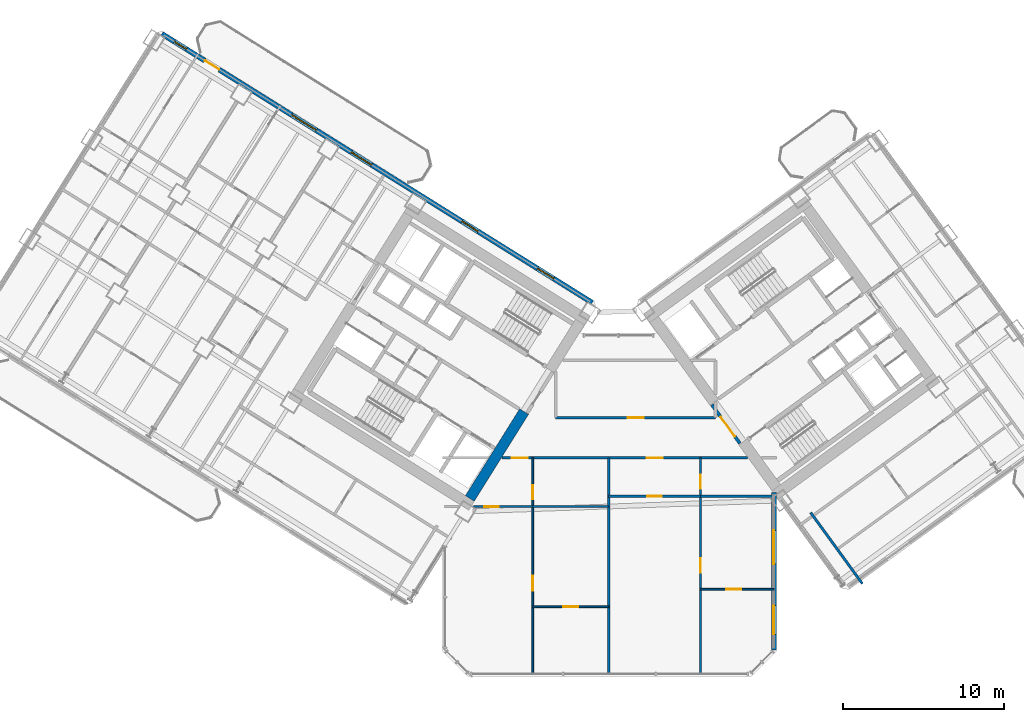
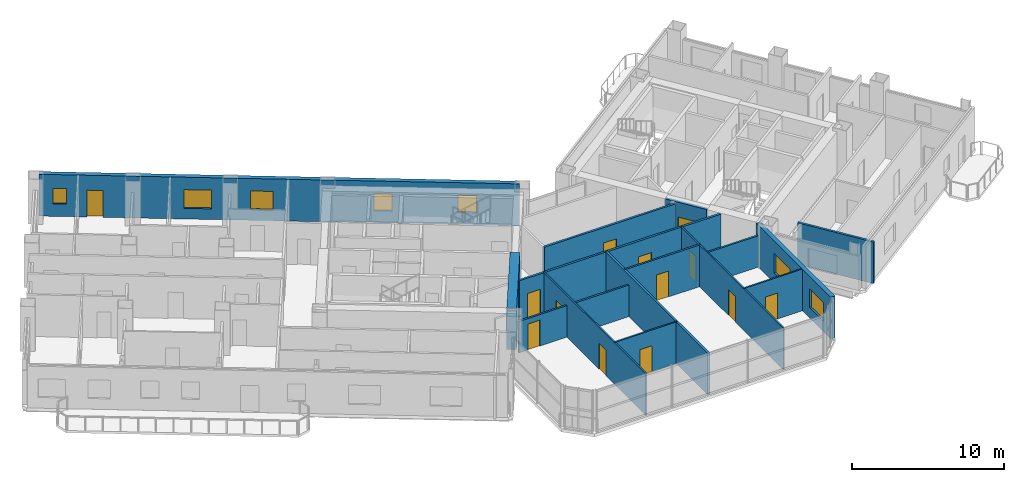
# One storey, part 17 of 28: 16 walls, 13 doors, 7 windows, 20 openings.
"""IFC4 building model written with IfcOpenShell, lengths in metres."""

from ifc_helpers import new_model, si_unit, direction, frame, frame_2d, origin, place, context, subcontext, project, spatial, rectangle, extrude, source, transform, mapped, material, layer, layer_set, type_object, element, fill, save


model = new_model("IFC4")

# Units and contexts
model_context = context("Model", 3, precision=1e-05, world=origin(), true_north=direction((0.0, 1.0)))
body_context = subcontext(model_context, "Body", "Model", "MODEL_VIEW")
ifc_project = project(units=[si_unit("LENGTHUNIT", "METRE"), si_unit("AREAUNIT", "SQUARE_METRE"), si_unit("VOLUMEUNIT", "CUBIC_METRE"), si_unit("PLANEANGLEUNIT", "RADIAN"), si_unit("MASSUNIT", "GRAM", prefix="KILO")], contexts=[model_context])

# Site, building, storey
site_placement = place(None, origin())
site = spatial("IfcSite", under=ifc_project, at=site_placement, CompositionType="ELEMENT")
building_placement = place(site_placement, origin())
building = spatial("IfcBuilding", under=site, at=building_placement, Name="Tlacorven Tower", CompositionType="ELEMENT")
storey_placement = place(building_placement, frame((0.0, 0.0, 49.199951171875)))
storey = spatial("IfcBuildingStorey", under=building, at=storey_placement, Name="L12", CompositionType="ELEMENT", Elevation=49.199951171875)

# Wall
ifc_material_1 = material(Name="Concrete C60/75", Category="concrete")
ifc_layer_1 = layer(ifc_material_1, 0.64990234375)
ifc_layer_set_1 = layer_set([ifc_layer_1], Name="Concrete C60/75")
wall_type_1 = type_object("IfcWallType", Name="WL-COR-650", PredefinedType="SHEAR", material=ifc_layer_set_1)
wall_1_placement = place(storey_placement, frame((36.683349609375, 18.30419921875, 0.0), z_axis=(0.0, 0.0, 1.0), x_axis=(-0.529899109053, -0.848060690178, 0.0)))
element("IfcWall", 1, at=wall_1_placement, inside=storey, type_object=wall_type_1, Name="L12 W core end wall E1.2", PredefinedType="SHEAR", context=body_context, shape_type="SweptSolid", body=[
    extrude(rectangle(XDim=6.375244140625, YDim=0.64990234375, at=frame_2d((3.1875, 0.0))), origin(), (0.0, 0.0, 1.0), 3.35009765625),
])

# Wall, openings, doors
ifc_material_2 = material(Name="Gypsum plasterboard acoustic partition", Category="gypsum")
ifc_layer_2 = layer(ifc_material_2, 0.159912109375)
ifc_layer_set_2 = layer_set([ifc_layer_2], Name="Gypsum plasterboard acoustic partition")
wall_type_2 = type_object("IfcWallType", Name="WL-DEM-160", PredefinedType="PARTITIONING", material=ifc_layer_set_2)
wall_2_placement = place(storey_placement, frame((35.29638671875, 15.419921875, 0.0), z_axis=(0.0, 0.0, 1.0), x_axis=(1.0, 0.0, 0.0)))
wall_2 = element("IfcWall", 2, at=wall_2_placement, inside=storey, type_object=wall_type_2, Name="L12 Knuckle Corridor South Wall", PredefinedType="PARTITIONING", context=body_context, shape_type="SweptSolid", body=[
    extrude(rectangle(XDim=15.310546875, YDim=0.159912109375, at=frame_2d((7.6552734375, 0.0))), origin(), (0.0, 0.0, 1.0), 3.340087890625),
])
opening_1_placement = place(wall_2_placement, frame((0.61474609375, 0.0, 0.0)))
opening_1 = element("IfcOpeningElement", 3, at=opening_1_placement, cuts=wall_2, Name="Opening D11", PredefinedType="OPENING", context=body_context, shape_type="SweptSolid", body=[
    extrude(rectangle(XDim=1.0, YDim=2.10009765625, at=frame_2d((0.5, 1.050048828125))), frame((0.0, 0.08984375, 0.0), z_axis=(0.0, -1.0, 0.0), x_axis=(1.0, 0.0, 0.0)), (0.0, 0.0, 1.0), 0.179931640625),
])
opening_2_placement = place(wall_2_placement, frame((9.03515625, 0.0, 0.0)))
opening_2 = element("IfcOpeningElement", 4, at=opening_2_placement, cuts=wall_2, Name="Opening D11", PredefinedType="OPENING", context=body_context, shape_type="SweptSolid", body=[
    extrude(rectangle(XDim=1.0, YDim=2.10009765625, at=frame_2d((0.5, 1.050048828125))), frame((0.0, 0.08984375, 0.0), z_axis=(0.0, -1.0, 0.0), x_axis=(1.0, 0.0, 0.0)), (0.0, 0.0, 1.0), 0.179931640625),
])
ifc_material_3 = material(Name="Fire-rated steel door assembly", Category="steel")
door_type_1 = type_object("IfcDoorType", Name="DR-FLT-FD60-1000", OperationType="NOTDEFINED", PredefinedType="DOOR", material=ifc_material_3)
shared_shape_1 = source(origin(), body_context, "Body", "SweptSolid", [
    extrude(rectangle(XDim=1.0, YDim=2.10009765625, at=frame_2d((0.5, 1.050048828125))), frame((0.0, 0.02490234375, 0.0), z_axis=(0.0, -1.0, 0.0), x_axis=(1.0, 0.0, 0.0)), (0.0, 0.0, 1.0), 0.050048828125),
])
door_1_placement = place(opening_1_placement, frame((1.0, 0.0, 0.0), z_axis=(0.0, 0.0, 1.0), x_axis=(-1.0, 0.0, 0.0)))
door_1 = element("IfcDoor", 5, at=door_1_placement, inside=storey, type_object=door_type_1, Name="L12 door 052", OperationType="SINGLE_SWING_RIGHT", OverallHeight=2.10009765625, OverallWidth=1.0, PredefinedType="DOOR", context=body_context, shape_type="MappedRepresentation", body=[
    mapped(shared_shape_1, transform((0.0, 0.0, 0.0), scale=1.0)),
])
fill(opening_1, door_1)
door_2_placement = place(opening_2_placement, frame((1.0, 0.0, 0.0), z_axis=(0.0, 0.0, 1.0), x_axis=(-1.0, 0.0, 0.0)))
door_2 = element("IfcDoor", 6, at=door_2_placement, inside=storey, type_object=door_type_1, Name="L12 door 057", OperationType="SINGLE_SWING_LEFT", OverallHeight=2.10009765625, OverallWidth=1.0, PredefinedType="DOOR", context=body_context, shape_type="MappedRepresentation", body=[
    mapped(shared_shape_1, transform((0.0, 0.0, 0.0), scale=1.0)),
])
fill(opening_2, door_2)

# Wall, opening, door
wall_3_placement = place(storey_placement, frame((38.64990234375, 17.929931640625, 0.0), z_axis=(0.0, 0.0, 1.0), x_axis=(1.0, 0.0, 0.0)))
wall_3 = element("IfcWall", 7, at=wall_3_placement, inside=storey, type_object=wall_type_2, Name="L12 partition 81", PredefinedType="PARTITIONING", context=body_context, shape_type="SweptSolid", body=[
    extrude(rectangle(XDim=9.9501953125, YDim=0.159912109375, at=frame_2d((4.97509765625, 0.0))), origin(), (0.0, 0.0, 1.0), 3.340087890625),
])
opening_3_placement = place(wall_3_placement, frame((4.47509765625, 0.0, 0.0)))
opening_3 = element("IfcOpeningElement", 8, at=opening_3_placement, cuts=wall_3, Name="Opening D11", PredefinedType="OPENING", context=body_context, shape_type="SweptSolid", body=[
    extrude(rectangle(XDim=1.0, YDim=2.10009765625, at=frame_2d((0.5, 1.050048828125))), frame((0.0, 0.08984375, 0.0), z_axis=(0.0, -1.0, 0.0), x_axis=(1.0, 0.0, 0.0)), (0.0, 0.0, 1.0), 0.179931640625),
])
door_3_placement = place(opening_3_placement, origin())
door_3 = element("IfcDoor", 9, at=door_3_placement, inside=storey, type_object=door_type_1, Name="L12 door 047", OperationType="SINGLE_SWING_LEFT", OverallHeight=2.10009765625, OverallWidth=1.0, PredefinedType="DOOR", context=body_context, shape_type="MappedRepresentation", body=[
    mapped(shared_shape_1, transform((0.0, 0.0, 0.0), scale=1.0)),
])
fill(opening_3, door_3)

# Walls
wall_4_placement = place(storey_placement, frame((41.949951171875, 1.9599609375, 0.0), z_axis=(0.0, 0.0, 1.0), x_axis=(0.0, 1.0, 0.0)))
element("IfcWall", 10, at=wall_4_placement, inside=storey, type_object=wall_type_2, Name="L12 Knuckle Demising Wall 1", PredefinedType="PARTITIONING", context=body_context, shape_type="SweptSolid", body=[
    extrude(rectangle(XDim=13.4599609375, YDim=0.159912109375, at=frame_2d((6.72998046875, 0.0))), origin(), (0.0, 0.0, 1.0), 3.340087890625),
])
wall_5_placement = place(storey_placement, frame((57.747314453125, 7.586181640625, 0.0), z_axis=(0.0, 0.0, 1.0), x_axis=(-0.587784893399, 0.809017255126, 0.0)))
element("IfcWall", 11, at=wall_5_placement, inside=storey, type_object=wall_type_2, Name="L12 EC West Throat Wall", PredefinedType="PARTITIONING", context=body_context, shape_type="SweptSolid", body=[
    extrude(rectangle(XDim=5.480224609375, YDim=0.159912109375, at=frame_2d((2.740234375, 0.0))), origin(), (0.0, 0.0, 1.0), 3.340087890625),
])

# Wall, openings, door, windows
ifc_material_4 = material(Name="Precast concrete C45/55", Category="concrete")
ifc_layer_3 = layer(ifc_material_4, 0.320068359375)
ifc_layer_set_3 = layer_set([ifc_layer_3], Name="Precast concrete C45/55")
wall_type_3 = type_object("IfcWallType", Name="WL-EXT-320", PredefinedType="STANDARD", material=ifc_layer_set_3)
wall_6_placement = place(storey_placement, frame((14.13818359375, 41.825439453125, 0.0), z_axis=(0.0, 0.0, 1.0), x_axis=(0.848046498049, -0.529921821731, 0.0)))
wall_6 = element("IfcWall", 12, at=wall_6_placement, inside=storey, type_object=wall_type_3, Name="L12 Masonry-Frame Recessed Facade Wall 3", PredefinedType="STANDARD", context=body_context, shape_type="SweptSolid", body=[
    extrude(rectangle(XDim=31.587646484375, YDim=0.320068359375, at=frame_2d((15.7939453125, 0.0))), origin(), (0.0, 0.0, 1.0), 3.35009765625),
])
opening_4_placement = place(wall_6_placement, frame((3.15869140625, 0.0, 0.0)))
opening_4 = element("IfcOpeningElement", 13, at=opening_4_placement, cuts=wall_6, Name="Opening D06", PredefinedType="OPENING", context=body_context, shape_type="SweptSolid", body=[
    extrude(rectangle(XDim=1.050048828125, YDim=2.14990234375, at=frame_2d((0.52490234375, 1.074951171875))), frame((0.0, 0.169921875, 0.0), z_axis=(0.0, -1.0, 0.0), x_axis=(1.0, 0.0, 0.0)), (0.0, 0.0, 1.0), 0.340087890625),
])
opening_5_placement = place(wall_6_placement, frame((0.90625, 0.0, 1.0)))
opening_5 = element("IfcOpeningElement", 14, at=opening_5_placement, cuts=wall_6, Name="Opening WN05", PredefinedType="OPENING", context=body_context, shape_type="SweptSolid", body=[
    extrude(rectangle(XDim=0.89990234375, YDim=1.25, at=frame_2d((0.449951171875, 0.625))), frame((0.0, 0.169921875, 0.0), z_axis=(0.0, -1.0, 0.0), x_axis=(1.0, 0.0, 0.0)), (0.0, 0.0, 1.0), 0.340087890625),
])
opening_6_placement = place(wall_6_placement, frame((9.537109375, 0.0, 0.85009765625)))
opening_6 = element("IfcOpeningElement", 15, at=opening_6_placement, cuts=wall_6, Name="Opening WN01", PredefinedType="OPENING", context=body_context, shape_type="SweptSolid", body=[
    extrude(rectangle(XDim=1.800048828125, YDim=1.5, at=frame_2d((0.89990234375, 0.75))), frame((0.0, 0.169921875, 0.0), z_axis=(0.0, -1.0, 0.0), x_axis=(1.0, 0.0, 0.0)), (0.0, 0.0, 1.0), 0.340087890625),
])
opening_7_placement = place(wall_6_placement, frame((13.898681640625, 0.0, 0.85009765625)))
opening_7 = element("IfcOpeningElement", 16, at=opening_7_placement, cuts=wall_6, Name="Opening WN02", PredefinedType="OPENING", context=body_context, shape_type="SweptSolid", body=[
    extrude(rectangle(XDim=1.5, YDim=1.5, at=frame_2d((0.75, 0.75))), frame((0.0, 0.169921875, 0.0), z_axis=(0.0, -1.0, 0.0), x_axis=(1.0, 0.0, 0.0)), (0.0, 0.0, 1.0), 0.340087890625),
])
opening_8_placement = place(wall_6_placement, frame((22.018798828125, 0.0, 0.949951171875)))
opening_8 = element("IfcOpeningElement", 17, at=opening_8_placement, cuts=wall_6, Name="Opening WN03", PredefinedType="OPENING", context=body_context, shape_type="SweptSolid", body=[
    extrude(rectangle(XDim=1.199951171875, YDim=1.39990234375, at=frame_2d((0.60009765625, 0.699951171875))), frame((0.0, 0.169921875, 0.0), z_axis=(0.0, -1.0, 0.0), x_axis=(1.0, 0.0, 0.0)), (0.0, 0.0, 1.0), 0.340087890625),
])
opening_9_placement = place(wall_6_placement, frame((27.568603515625, 0.0, 0.949951171875)))
opening_9 = element("IfcOpeningElement", 18, at=opening_9_placement, cuts=wall_6, Name="Opening WN03", PredefinedType="OPENING", context=body_context, shape_type="SweptSolid", body=[
    extrude(rectangle(XDim=1.199951171875, YDim=1.39990234375, at=frame_2d((0.60009765625, 0.699951171875))), frame((0.0, 0.169921875, 0.0), z_axis=(0.0, -1.0, 0.0), x_axis=(1.0, 0.0, 0.0)), (0.0, 0.0, 1.0), 0.340087890625),
])
ifc_material_5 = material(Name="Powder-coated aluminium and timber door", Category="wood")
door_type_2 = type_object("IfcDoorType", Name="DR-EXT-BALC-1050", OperationType="NOTDEFINED", PredefinedType="DOOR", material=ifc_material_5)
shared_shape_2 = source(origin(), body_context, "Body", "SweptSolid", [
    extrude(rectangle(XDim=1.050048828125, YDim=2.14990234375, at=frame_2d((0.52490234375, 1.074951171875))), frame((0.0, 0.02490234375, 0.0), z_axis=(0.0, -1.0, 0.0), x_axis=(1.0, 0.0, 0.0)), (0.0, 0.0, 1.0), 0.050048828125),
])
door_4_placement = place(opening_4_placement, origin())
door_4 = element("IfcDoor", 19, at=door_4_placement, inside=storey, type_object=door_type_2, Name="L12 Outdoor Access Door BAL-L12-W-IN", OperationType="SINGLE_SWING_RIGHT", OverallHeight=2.14990234375, OverallWidth=1.050048828125, PredefinedType="DOOR", context=body_context, shape_type="MappedRepresentation", body=[
    mapped(shared_shape_2, transform((0.0, 0.0, 0.0), scale=1.0)),
])
fill(opening_4, door_4)
ifc_material_6 = material(Name="Dark solar low-E double glazing in anodised aluminium frame", Category="aluminium")
window_type_1 = type_object("IfcWindowType", Name="WN-APT-1200X1500", PartitioningType="SINGLE_PANEL", PredefinedType="WINDOW", material=ifc_material_6)
shared_shape_3 = source(origin(), body_context, "Body", "SweptSolid", [
    extrude(rectangle(XDim=1.199951171875, YDim=1.39990234375, at=frame_2d((0.60009765625, 0.699951171875))), frame((0.0, 0.030029296875, 0.0), z_axis=(0.0, -1.0, 0.0), x_axis=(1.0, 0.0, 0.0)), (0.0, 0.0, 1.0), 0.06005859375),
])
window_1_placement = place(opening_8_placement, origin())
window_1 = element("IfcWindow", 20, at=window_1_placement, inside=storey, type_object=window_type_1, Name="L12 Recessed Masonry-Frame Window L12-03.4", OverallHeight=1.39990234375, OverallWidth=1.199951171875, PartitioningType="SINGLE_PANEL", PredefinedType="WINDOW", context=body_context, shape_type="MappedRepresentation", body=[
    mapped(shared_shape_3, transform((0.0, 0.0, 0.0), scale=1.0)),
])
fill(opening_8, window_1)
window_2_placement = place(opening_9_placement, origin())
window_2 = element("IfcWindow", 21, at=window_2_placement, inside=storey, type_object=window_type_1, Name="L12 Recessed Masonry-Frame Window L12-03.5", OverallHeight=1.39990234375, OverallWidth=1.199951171875, PartitioningType="SINGLE_PANEL", PredefinedType="WINDOW", context=body_context, shape_type="MappedRepresentation", body=[
    mapped(shared_shape_3, transform((0.0, 0.0, 0.0), scale=1.0)),
])
fill(opening_9, window_2)
window_type_2 = type_object("IfcWindowType", Name="WN-APT-1800X1650", PartitioningType="SINGLE_PANEL", PredefinedType="WINDOW", material=ifc_material_6)
shared_shape_4 = source(origin(), body_context, "Body", "SweptSolid", [
    extrude(rectangle(XDim=1.800048828125, YDim=1.5, at=frame_2d((0.89990234375, 0.75))), frame((0.0, 0.030029296875, 0.0), z_axis=(0.0, -1.0, 0.0), x_axis=(1.0, 0.0, 0.0)), (0.0, 0.0, 1.0), 0.06005859375),
])
window_3_placement = place(opening_6_placement, origin())
window_3 = element("IfcWindow", 22, at=window_3_placement, inside=storey, type_object=window_type_2, Name="L12 Recessed Masonry-Frame Window L12-03.2", OverallHeight=1.5, OverallWidth=1.800048828125, PartitioningType="SINGLE_PANEL", PredefinedType="WINDOW", context=body_context, shape_type="MappedRepresentation", body=[
    mapped(shared_shape_4, transform((0.0, 0.0, 0.0), scale=1.0)),
])
fill(opening_6, window_3)
window_type_3 = type_object("IfcWindowType", Name="WN-APT-1500X1650", PartitioningType="SINGLE_PANEL", PredefinedType="WINDOW", material=ifc_material_6)
shared_shape_5 = source(origin(), body_context, "Body", "SweptSolid", [
    extrude(rectangle(XDim=1.5, YDim=1.5, at=frame_2d((0.75, 0.75))), frame((0.0, 0.030029296875, 0.0), z_axis=(0.0, -1.0, 0.0), x_axis=(1.0, 0.0, 0.0)), (0.0, 0.0, 1.0), 0.06005859375),
])
window_4_placement = place(opening_7_placement, origin())
window_4 = element("IfcWindow", 23, at=window_4_placement, inside=storey, type_object=window_type_3, Name="L12 Recessed Masonry-Frame Window L12-03.3", OverallHeight=1.5, OverallWidth=1.5, PartitioningType="SINGLE_PANEL", PredefinedType="WINDOW", context=body_context, shape_type="MappedRepresentation", body=[
    mapped(shared_shape_5, transform((0.0, 0.0, 0.0), scale=1.0)),
])
fill(opening_7, window_4)
window_type_4 = type_object("IfcWindowType", Name="WN-APT-0900X1350", PartitioningType="SINGLE_PANEL", PredefinedType="WINDOW", material=ifc_material_6)
shared_shape_6 = source(origin(), body_context, "Body", "SweptSolid", [
    extrude(rectangle(XDim=0.89990234375, YDim=1.25, at=frame_2d((0.449951171875, 0.625))), frame((0.0, 0.030029296875, 0.0), z_axis=(0.0, -1.0, 0.0), x_axis=(1.0, 0.0, 0.0)), (0.0, 0.0, 1.0), 0.06005859375),
])
window_5_placement = place(opening_5_placement, origin())
window_5 = element("IfcWindow", 24, at=window_5_placement, inside=storey, type_object=window_type_4, Name="L12 Recessed Masonry-Frame Window L12-03.1", OverallHeight=1.25, OverallWidth=0.89990234375, PartitioningType="SINGLE_PANEL", PredefinedType="WINDOW", context=body_context, shape_type="MappedRepresentation", body=[
    mapped(shared_shape_6, transform((0.0, 0.0, 0.0), scale=1.0)),
])
fill(opening_5, window_5)

# Wall, openings, windows
wall_7_placement = place(storey_placement, frame((52.239990234375, 13.260986328125, 0.0), z_axis=(0.0, 0.0, 1.0), x_axis=(0.0, -1.0, 0.0)))
wall_7 = element("IfcWall", 25, at=wall_7_placement, inside=storey, type_object=wall_type_3, Name="L12 Masonry-Frame Recessed Facade Wall 8", PredefinedType="STANDARD", context=body_context, shape_type="SweptSolid", body=[
    extrude(rectangle(XDim=9.794677734375, YDim=0.320068359375, at=frame_2d((4.8974609375, 0.0))), origin(), (0.0, 0.0, 1.0), 3.35009765625),
])
opening_10_placement = place(wall_7_placement, frame((2.349365234375, 0.0, 0.800048828125)))
opening_10 = element("IfcOpeningElement", 26, at=opening_10_placement, cuts=wall_7, Name="Opening WN04", PredefinedType="OPENING", context=body_context, shape_type="SweptSolid", body=[
    extrude(rectangle(XDim=2.10009765625, YDim=1.550048828125, at=frame_2d((1.050048828125, 0.77490234375))), frame((0.0, 0.169921875, 0.0), z_axis=(0.0, -1.0, 0.0), x_axis=(1.0, 0.0, 0.0)), (0.0, 0.0, 1.0), 0.340087890625),
])
opening_11_placement = place(wall_7_placement, frame((7.0302734375, 0.0, 0.85009765625)))
opening_11 = element("IfcOpeningElement", 27, at=opening_11_placement, cuts=wall_7, Name="Opening WN01", PredefinedType="OPENING", context=body_context, shape_type="SweptSolid", body=[
    extrude(rectangle(XDim=1.800048828125, YDim=1.5, at=frame_2d((0.89990234375, 0.75))), frame((0.0, 0.169921875, 0.0), z_axis=(0.0, -1.0, 0.0), x_axis=(1.0, 0.0, 0.0)), (0.0, 0.0, 1.0), 0.340087890625),
])
window_type_5 = type_object("IfcWindowType", Name="WN-APT-2100X1750", PartitioningType="SINGLE_PANEL", PredefinedType="WINDOW", material=ifc_material_6)
shared_shape_7 = source(origin(), body_context, "Body", "SweptSolid", [
    extrude(rectangle(XDim=2.10009765625, YDim=1.550048828125, at=frame_2d((1.050048828125, 0.77490234375))), frame((0.0, 0.030029296875, 0.0), z_axis=(0.0, -1.0, 0.0), x_axis=(1.0, 0.0, 0.0)), (0.0, 0.0, 1.0), 0.06005859375),
])
window_6_placement = place(opening_10_placement, origin())
window_6 = element("IfcWindow", 28, at=window_6_placement, inside=storey, type_object=window_type_5, Name="L12 Recessed Masonry-Frame Window L12-08.1", OverallHeight=1.550048828125, OverallWidth=2.10009765625, PartitioningType="SINGLE_PANEL", PredefinedType="WINDOW", context=body_context, shape_type="MappedRepresentation", body=[
    mapped(shared_shape_7, transform((0.0, 0.0, 0.0), scale=1.0)),
])
fill(opening_10, window_6)
window_7_placement = place(opening_11_placement, origin())
window_7 = element("IfcWindow", 29, at=window_7_placement, inside=storey, type_object=window_type_2, Name="L12 Recessed Masonry-Frame Window L12-08.2", OverallHeight=1.5, OverallWidth=1.800048828125, PartitioningType="SINGLE_PANEL", PredefinedType="WINDOW", context=body_context, shape_type="MappedRepresentation", body=[
    mapped(shared_shape_4, transform((0.0, 0.0, 0.0), scale=1.0)),
])
fill(opening_11, window_7)

# Wall, openings, doors
ifc_material_7 = material(Name="Gypsum plasterboard partition", Category="gypsum")
ifc_layer_4 = layer(ifc_material_7, 0.110107421875)
ifc_layer_set_4 = layer_set([ifc_layer_4], Name="Gypsum plasterboard partition")
wall_type_4 = type_object("IfcWallType", Name="WL-INT-110", PredefinedType="PARTITIONING", material=ifc_layer_set_4)
wall_8_placement = place(storey_placement, frame((37.221923828125, 1.9599609375, 0.0), z_axis=(0.0, 0.0, 1.0), x_axis=(0.0, 1.0, 0.0)))
wall_8 = element("IfcWall", 30, at=wall_8_placement, inside=storey, type_object=wall_type_4, Name="L12 partition 87", PredefinedType="PARTITIONING", context=body_context, shape_type="SweptSolid", body=[
    extrude(rectangle(XDim=13.4599609375, YDim=0.110107421875, at=frame_2d((6.72998046875, 0.0))), origin(), (0.0, 0.0, 1.0), 3.340087890625),
])
opening_12_placement = place(wall_8_placement, frame((5.199951171875, 0.0, 0.0)))
opening_12 = element("IfcOpeningElement", 31, at=opening_12_placement, cuts=wall_8, Name="Opening D12", PredefinedType="OPENING", context=body_context, shape_type="SweptSolid", body=[
    extrude(rectangle(XDim=0.919921875, YDim=2.080078125, at=frame_2d((0.4599609375, 1.0400390625))), frame((0.0, 0.06494140625, 0.0), z_axis=(0.0, -1.0, 0.0), x_axis=(1.0, 0.0, 0.0)), (0.0, 0.0, 1.0), 0.130126953125),
])
opening_13_placement = place(wall_8_placement, frame((10.889892578125, 0.0, 0.0)))
opening_13 = element("IfcOpeningElement", 32, at=opening_13_placement, cuts=wall_8, Name="Opening D13", PredefinedType="OPENING", context=body_context, shape_type="SweptSolid", body=[
    extrude(rectangle(XDim=0.8798828125, YDim=2.080078125, at=frame_2d((0.43994140625, 1.0400390625))), frame((0.0, 0.06494140625, 0.0), z_axis=(0.0, -1.0, 0.0), x_axis=(1.0, 0.0, 0.0)), (0.0, 0.0, 1.0), 0.130126953125),
])
door_type_3 = type_object("IfcDoorType", Name="DR-INT-WET-0880", OperationType="NOTDEFINED", PredefinedType="DOOR", material=ifc_material_5)
shared_shape_8 = source(origin(), body_context, "Body", "SweptSolid", [
    extrude(rectangle(XDim=0.8798828125, YDim=2.080078125, at=frame_2d((0.43994140625, 1.0400390625))), frame((0.0, 0.02490234375, 0.0), z_axis=(0.0, -1.0, 0.0), x_axis=(1.0, 0.0, 0.0)), (0.0, 0.0, 1.0), 0.050048828125),
])
door_5_placement = place(opening_13_placement, origin())
door_5 = element("IfcDoor", 33, at=door_5_placement, inside=storey, type_object=door_type_3, Name="L12 door 054", OperationType="SINGLE_SWING_RIGHT", OverallHeight=2.080078125, OverallWidth=0.8798828125, PredefinedType="DOOR", context=body_context, shape_type="MappedRepresentation", body=[
    mapped(shared_shape_8, transform((0.0, 0.0, 0.0), scale=1.0)),
])
fill(opening_13, door_5)
door_type_4 = type_object("IfcDoorType", Name="DR-INT-ROOM-0920", OperationType="NOTDEFINED", PredefinedType="DOOR", material=ifc_material_5)
shared_shape_9 = source(origin(), body_context, "Body", "SweptSolid", [
    extrude(rectangle(XDim=0.919921875, YDim=2.080078125, at=frame_2d((0.4599609375, 1.0400390625))), frame((0.0, 0.02490234375, 0.0), z_axis=(0.0, -1.0, 0.0), x_axis=(1.0, 0.0, 0.0)), (0.0, 0.0, 1.0), 0.050048828125),
])
door_6_placement = place(opening_12_placement, origin())
door_6 = element("IfcDoor", 34, at=door_6_placement, inside=storey, type_object=door_type_4, Name="L12 door 050", OperationType="SINGLE_SWING_RIGHT", OverallHeight=2.080078125, OverallWidth=0.919921875, PredefinedType="DOOR", context=body_context, shape_type="MappedRepresentation", body=[
    mapped(shared_shape_9, transform((0.0, 0.0, 0.0), scale=1.0)),
])
fill(opening_12, door_6)

# Wall, opening, door
wall_9_placement = place(storey_placement, frame((37.221923828125, 6.14990234375, 0.0), z_axis=(0.0, 0.0, 1.0), x_axis=(1.0, 0.0, 0.0)))
wall_9 = element("IfcWall", 35, at=wall_9_placement, inside=storey, type_object=wall_type_4, Name="L12 partition 90", PredefinedType="PARTITIONING", context=body_context, shape_type="SweptSolid", body=[
    extrude(rectangle(XDim=4.72802734375, YDim=0.110107421875, at=frame_2d((2.364013671875, 0.0))), origin(), (0.0, 0.0, 1.0), 3.340087890625),
])
opening_14_placement = place(wall_9_placement, frame((1.904052734375, 0.0, 0.0)))
opening_14 = element("IfcOpeningElement", 36, at=opening_14_placement, cuts=wall_9, Name="Opening D12", PredefinedType="OPENING", context=body_context, shape_type="SweptSolid", body=[
    extrude(rectangle(XDim=0.919921875, YDim=2.080078125, at=frame_2d((0.4599609375, 1.0400390625))), frame((0.0, 0.06494140625, 0.0), z_axis=(0.0, -1.0, 0.0), x_axis=(1.0, 0.0, 0.0)), (0.0, 0.0, 1.0), 0.130126953125),
])
door_7_placement = place(opening_14_placement, origin())
door_7 = element("IfcDoor", 37, at=door_7_placement, inside=storey, type_object=door_type_4, Name="L12 door 051", OperationType="SINGLE_SWING_LEFT", OverallHeight=2.080078125, OverallWidth=0.919921875, PredefinedType="DOOR", context=body_context, shape_type="MappedRepresentation", body=[
    mapped(shared_shape_9, transform((0.0, 0.0, 0.0), scale=1.0)),
])
fill(opening_14, door_7)

# Wall, openings, doors
wall_10_placement = place(storey_placement, frame((47.6630859375, 1.9599609375, 0.0), z_axis=(0.0, 0.0, 1.0), x_axis=(0.0, 1.0, 0.0)))
wall_10 = element("IfcWall", 38, at=wall_10_placement, inside=storey, type_object=wall_type_4, Name="L12 partition 91", PredefinedType="PARTITIONING", context=body_context, shape_type="SweptSolid", body=[
    extrude(rectangle(XDim=13.4599609375, YDim=0.110107421875, at=frame_2d((6.72998046875, 0.0))), origin(), (0.0, 0.0, 1.0), 3.340087890625),
])
opening_15_placement = place(wall_10_placement, frame((6.300048828125, 0.0, 0.0)))
opening_15 = element("IfcOpeningElement", 39, at=opening_15_placement, cuts=wall_10, Name="Opening D12", PredefinedType="OPENING", context=body_context, shape_type="SweptSolid", body=[
    extrude(rectangle(XDim=0.919921875, YDim=2.080078125, at=frame_2d((0.4599609375, 1.0400390625))), frame((0.0, 0.06494140625, 0.0), z_axis=(0.0, -1.0, 0.0), x_axis=(1.0, 0.0, 0.0)), (0.0, 0.0, 1.0), 0.130126953125),
])
opening_16_placement = place(wall_10_placement, frame((11.5400390625, 0.0, 0.0)))
opening_16 = element("IfcOpeningElement", 40, at=opening_16_placement, cuts=wall_10, Name="Opening D13", PredefinedType="OPENING", context=body_context, shape_type="SweptSolid", body=[
    extrude(rectangle(XDim=0.8798828125, YDim=2.080078125, at=frame_2d((0.43994140625, 1.0400390625))), frame((0.0, 0.06494140625, 0.0), z_axis=(0.0, -1.0, 0.0), x_axis=(1.0, 0.0, 0.0)), (0.0, 0.0, 1.0), 0.130126953125),
])
door_8_placement = place(opening_16_placement, origin())
door_8 = element("IfcDoor", 41, at=door_8_placement, inside=storey, type_object=door_type_3, Name="L12 door 059", OperationType="SINGLE_SWING_LEFT", OverallHeight=2.080078125, OverallWidth=0.8798828125, PredefinedType="DOOR", context=body_context, shape_type="MappedRepresentation", body=[
    mapped(shared_shape_8, transform((0.0, 0.0, 0.0), scale=1.0)),
])
fill(opening_16, door_8)
door_9_placement = place(opening_15_placement, origin())
door_9 = element("IfcDoor", 42, at=door_9_placement, inside=storey, type_object=door_type_4, Name="L12 door 055", OperationType="SINGLE_SWING_LEFT", OverallHeight=2.080078125, OverallWidth=0.919921875, PredefinedType="DOOR", context=body_context, shape_type="MappedRepresentation", body=[
    mapped(shared_shape_9, transform((0.0, 0.0, 0.0), scale=1.0)),
])
fill(opening_15, door_9)

# Wall, opening, door
wall_11_placement = place(storey_placement, frame((47.6630859375, 7.25, 0.0), z_axis=(0.0, 0.0, 1.0), x_axis=(1.0, 0.0, 0.0)))
wall_11 = element("IfcWall", 43, at=wall_11_placement, inside=storey, type_object=wall_type_4, Name="L12 partition 94", PredefinedType="PARTITIONING", context=body_context, shape_type="SweptSolid", body=[
    extrude(rectangle(XDim=4.596923828125, YDim=0.110107421875, at=frame_2d((2.29833984375, 0.0))), origin(), (0.0, 0.0, 1.0), 3.340087890625),
])
opening_17_placement = place(wall_11_placement, frame((1.6083984375, 0.0, 0.0)))
opening_17 = element("IfcOpeningElement", 44, at=opening_17_placement, cuts=wall_11, Name="Opening D12", PredefinedType="OPENING", context=body_context, shape_type="SweptSolid", body=[
    extrude(rectangle(XDim=0.919921875, YDim=2.080078125, at=frame_2d((0.4599609375, 1.0400390625))), frame((0.0, 0.06494140625, 0.0), z_axis=(0.0, -1.0, 0.0), x_axis=(1.0, 0.0, 0.0)), (0.0, 0.0, 1.0), 0.130126953125),
])
door_10_placement = place(opening_17_placement, origin())
door_10 = element("IfcDoor", 45, at=door_10_placement, inside=storey, type_object=door_type_4, Name="L12 door 056", OperationType="SINGLE_SWING_RIGHT", OverallHeight=2.080078125, OverallWidth=0.919921875, PredefinedType="DOOR", context=body_context, shape_type="MappedRepresentation", body=[
    mapped(shared_shape_9, transform((0.0, 0.0, 0.0), scale=1.0)),
])
fill(opening_17, door_10)

ifc_material_8 = material(Name="Moisture-resistant gypsum plumbing wall", Category="gypsum")
ifc_layer_5 = layer(ifc_material_8, 0.139892578125)
ifc_layer_set_5 = layer_set([ifc_layer_5], Name="Moisture-resistant gypsum plumbing wall")
wall_type_5 = type_object("IfcWallType", Name="WL-PLM-140", PredefinedType="PLUMBINGWALL", material=ifc_layer_set_5)
wall_12_placement = place(storey_placement, frame((33.52734375, 12.389892578125, 0.0), z_axis=(0.0, 0.0, 1.0), x_axis=(1.0, 0.0, 0.0)))
wall_12 = element("IfcWall", 46, at=wall_12_placement, inside=storey, type_object=wall_type_5, Name="L12 partition 88", PredefinedType="PLUMBINGWALL", context=body_context, shape_type="SweptSolid", body=[
    extrude(rectangle(XDim=3.694580078125, YDim=0.139892578125, at=frame_2d((1.84716796875, 0.0))), origin(), (0.0, 0.0, 1.0), 2.525146484375),
])
opening_18_placement = place(wall_12_placement, frame((0.673828125, 0.0, 0.0)))
opening_18 = element("IfcOpeningElement", 47, at=opening_18_placement, cuts=wall_12, Name="Opening D12", PredefinedType="OPENING", context=body_context, shape_type="SweptSolid", body=[
    extrude(rectangle(XDim=0.919921875, YDim=2.080078125, at=frame_2d((0.4599609375, 1.0400390625))), frame((0.0, 0.080078125, 0.0), z_axis=(0.0, -1.0, 0.0), x_axis=(1.0, 0.0, 0.0)), (0.0, 0.0, 1.0), 0.159912109375),
])
door_11_placement = place(opening_18_placement, frame((0.919921875, 0.0, 0.0), z_axis=(0.0, 0.0, 1.0), x_axis=(-1.0, 0.0, 0.0)))
door_11 = element("IfcDoor", 48, at=door_11_placement, inside=storey, type_object=door_type_4, Name="L12 door 053", OperationType="SINGLE_SWING_RIGHT", OverallHeight=2.080078125, OverallWidth=0.919921875, PredefinedType="DOOR", context=body_context, shape_type="MappedRepresentation", body=[
    mapped(shared_shape_9, transform((0.0, 0.0, 0.0), scale=1.0)),
])
fill(opening_18, door_11)

# Wall
wall_13_placement = place(storey_placement, frame((37.221923828125, 12.389892578125, 0.0), z_axis=(0.0, 0.0, 1.0), x_axis=(1.0, 0.0, 0.0)))
element("IfcWall", 49, at=wall_13_placement, inside=storey, type_object=wall_type_5, Name="L12 partition 89", PredefinedType="PLUMBINGWALL", context=body_context, shape_type="SweptSolid", body=[
    extrude(rectangle(XDim=4.72802734375, YDim=0.139892578125, at=frame_2d((2.364013671875, 0.0))), origin(), (0.0, 0.0, 1.0), 2.525146484375),
])

# Wall, opening, door
wall_14_placement = place(storey_placement, frame((41.949951171875, 13.0400390625, 0.0), z_axis=(0.0, 0.0, 1.0), x_axis=(1.0, 0.0, 0.0)))
wall_14 = element("IfcWall", 50, at=wall_14_placement, inside=storey, type_object=wall_type_5, Name="L12 partition 92", PredefinedType="PLUMBINGWALL", context=body_context, shape_type="SweptSolid", body=[
    extrude(rectangle(XDim=5.713134765625, YDim=0.139892578125, at=frame_2d((2.8564453125, 0.0))), origin(), (0.0, 0.0, 1.0), 3.340087890625),
])
opening_19_placement = place(wall_14_placement, frame((2.396484375, 0.0, 0.0)))
opening_19 = element("IfcOpeningElement", 51, at=opening_19_placement, cuts=wall_14, Name="Opening D12", PredefinedType="OPENING", context=body_context, shape_type="SweptSolid", body=[
    extrude(rectangle(XDim=0.919921875, YDim=2.080078125, at=frame_2d((0.4599609375, 1.0400390625))), frame((0.0, 0.080078125, 0.0), z_axis=(0.0, -1.0, 0.0), x_axis=(1.0, 0.0, 0.0)), (0.0, 0.0, 1.0), 0.159912109375),
])
door_12_placement = place(opening_19_placement, frame((0.919921875, 0.0, 0.0), z_axis=(0.0, 0.0, 1.0), x_axis=(-1.0, 0.0, 0.0)))
door_12 = element("IfcDoor", 52, at=door_12_placement, inside=storey, type_object=door_type_4, Name="L12 door 058", OperationType="SINGLE_SWING_RIGHT", OverallHeight=2.080078125, OverallWidth=0.919921875, PredefinedType="DOOR", context=body_context, shape_type="MappedRepresentation", body=[
    mapped(shared_shape_9, transform((0.0, 0.0, 0.0), scale=1.0)),
])
fill(opening_19, door_12)

# Wall
wall_15_placement = place(storey_placement, frame((47.6630859375, 13.0400390625, 0.0), z_axis=(0.0, 0.0, 1.0), x_axis=(1.0, 0.0, 0.0)))
element("IfcWall", 53, at=wall_15_placement, inside=storey, type_object=wall_type_5, Name="L12 partition 93", PredefinedType="PLUMBINGWALL", context=body_context, shape_type="SweptSolid", body=[
    extrude(rectangle(XDim=4.5380859375, YDim=0.139892578125, at=frame_2d((2.26904296875, 0.0))), origin(), (0.0, 0.0, 1.0), 2.525146484375),
])

# Wall, opening, door
ifc_material_9 = material(Name="Concrete C40/50", Category="concrete")
ifc_layer_6 = layer(ifc_material_9, 0.199951171875)
ifc_layer_set_6 = layer_set([ifc_layer_6], Name="Concrete C40/50")
wall_type_6 = type_object("IfcWallType", Name="WL-SHF-200", PredefinedType="STANDARD", material=ifc_layer_set_6)
wall_16_placement = place(storey_placement, frame((50.119140625, 16.3330078125, 0.0), z_axis=(0.0, 0.0, 1.0), x_axis=(-0.587749856981, 0.809042709391, 0.0)))
wall_16 = element("IfcWall", 54, at=wall_16_placement, inside=storey, type_object=wall_type_6, Name="L12 partition 85", PredefinedType="STANDARD", context=body_context, shape_type="SweptSolid", body=[
    extrude(rectangle(XDim=2.9599609375, YDim=0.199951171875, at=frame_2d((1.47998046875, 0.0))), origin(), (0.0, 0.0, 1.0), 3.340087890625),
])
opening_20_placement = place(wall_16_placement, frame((0.530029296875, 0.0, 0.0)))
opening_20 = element("IfcOpeningElement", 55, at=opening_20_placement, cuts=wall_16, Name="Opening D10", PredefinedType="OPENING", context=body_context, shape_type="SweptSolid", body=[
    extrude(rectangle(XDim=1.5, YDim=2.14990234375, at=frame_2d((0.75, 1.074951171875))), frame((0.0, 0.10986328125, 0.0), z_axis=(0.0, -1.0, 0.0), x_axis=(1.0, 0.0, 0.0)), (0.0, 0.0, 1.0), 0.219970703125),
])
door_type_5 = type_object("IfcDoorType", Name="DR-LOB-FD60-1500", OperationType="DOUBLE_DOOR_SINGLE_SWING", PredefinedType="DOOR", material=ifc_material_3)
shared_shape_10 = source(origin(), body_context, "Body", "SweptSolid", [
    extrude(rectangle(XDim=1.5, YDim=2.14990234375, at=frame_2d((0.75, 1.074951171875))), frame((0.0, 0.02490234375, 0.0), z_axis=(0.0, -1.0, 0.0), x_axis=(1.0, 0.0, 0.0)), (0.0, 0.0, 1.0), 0.050048828125),
])
door_13_placement = place(opening_20_placement, frame((1.5, 0.0, 0.0), z_axis=(0.0, 0.0, 1.0), x_axis=(-1.0, 0.0, 0.0)))
door_13 = element("IfcDoor", 56, at=door_13_placement, inside=storey, type_object=door_type_5, Name="L12 door 049", OperationType="DOUBLE_DOOR_SINGLE_SWING", OverallHeight=2.14990234375, OverallWidth=1.5, PredefinedType="DOOR", context=body_context, shape_type="MappedRepresentation", body=[
    mapped(shared_shape_10, transform((0.0, 0.0, 0.0), scale=1.0)),
])
fill(opening_20, door_13)

save(model, "model.ifc")
